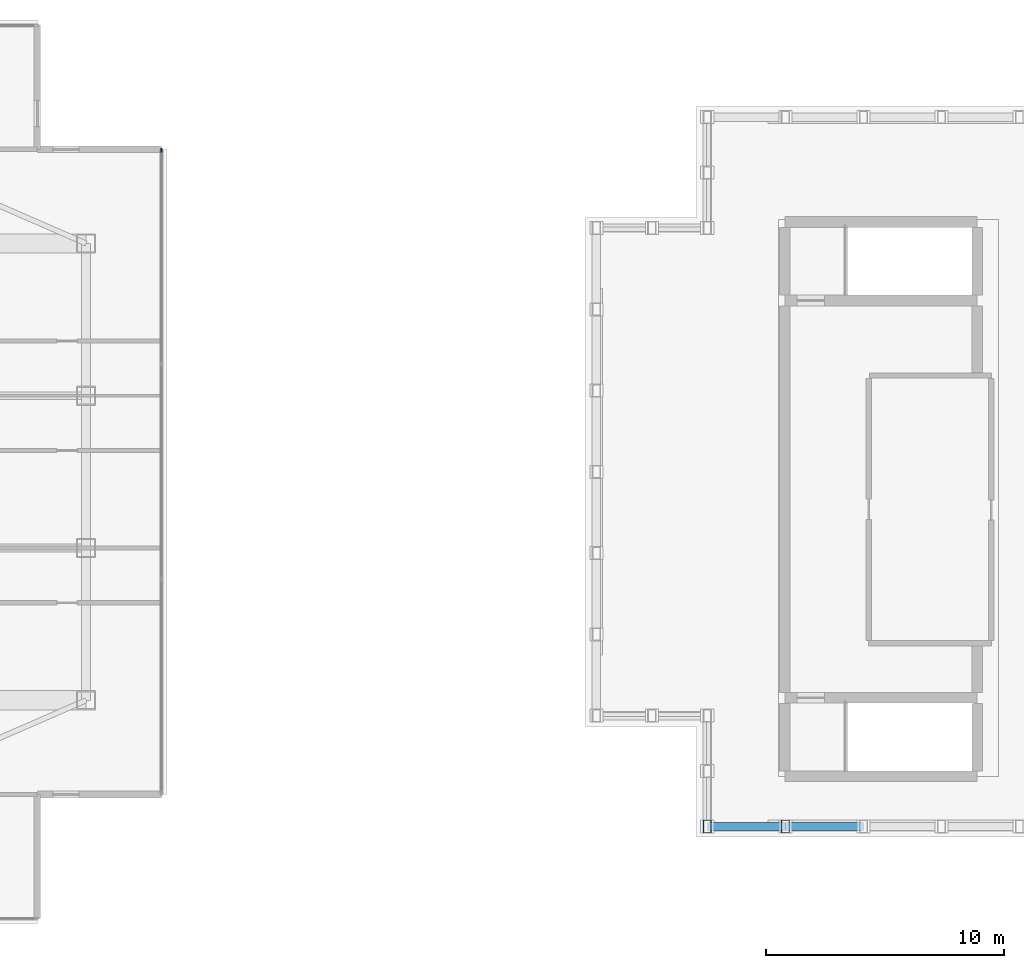
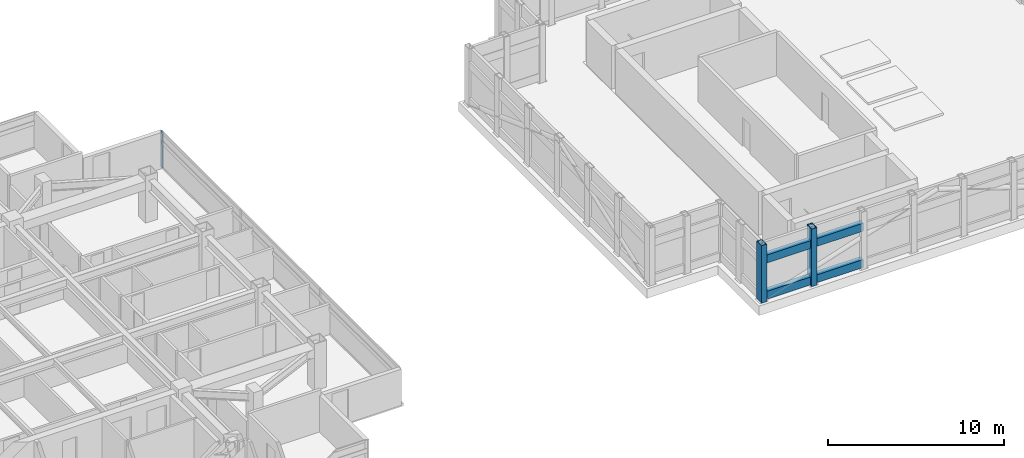
# One storey, part 7 of 17: 7 members, 1 element without a shape of its own.
"""IFC4 building model written with IfcOpenShell, lengths in metres."""

from ifc_helpers import new_model, si_unit, direction, frame, origin, origin_2d, place, context, subcontext, project, spatial, rectangle, hollow_rectangle, extrude, material, material_profile, profile_set, type_object, element, aggregate, save


model = new_model("IFC4")

# Units and contexts
model_context = context("Model", 3, precision=1e-05, world=origin(), true_north=direction((0.0, 1.0)))
body_context = subcontext(model_context, "Body", "Model", "MODEL_VIEW")
ifc_project = project(units=[si_unit("LENGTHUNIT", "METRE"), si_unit("AREAUNIT", "SQUARE_METRE"), si_unit("VOLUMEUNIT", "CUBIC_METRE"), si_unit("PLANEANGLEUNIT", "RADIAN"), si_unit("MASSUNIT", "GRAM", prefix="KILO")], contexts=[model_context])

# Site, building, storey
site_placement = place(None, origin())
site = spatial("IfcSite", under=ifc_project, at=site_placement, CompositionType="ELEMENT")
building_placement = place(site_placement, origin())
building = spatial("IfcBuilding", under=site, at=building_placement, Name="Mirazonda Arch Towers", CompositionType="ELEMENT")
storey_placement = place(building_placement, frame((0.0, 0.0, 209.64990234375)))
storey = spatial("IfcBuildingStorey", under=building, at=storey_placement, Name="L60", CompositionType="ELEMENT", Elevation=209.64990234375)

# Members
ifc_material_1 = material(Name="Steel ASTM A572 Grade 50", Category="steel")
ifc_material_profile_1 = material_profile(ifc_material_1, hollow_rectangle(XDim=0.35009765625, YDim=0.550048828125, WallThickness=0.030029296875, at=origin_2d()), Name="CROWNFRAME550x350x30")
ifc_profile_set_1 = profile_set([ifc_material_profile_1], Name="Steel ASTM A572 Grade 50")
member_type_1 = type_object("IfcMemberType", Name="MBR-EXT-CROWNFRAME550x350x30", PredefinedType="USERDEFINED", material=ifc_profile_set_1)
for number, where, z_axis, x_axis, name in (
    (1, (65.01220703125, 13.091552734375, 0.0), (0.0, 0.0, 1.0), (1.0, 0.0, 0.0), "T2 Constructivist Ring Crown Post 01"),
    (2, (68.29443359375, 13.091552734375, 0.0), (0.0, 0.0, 1.0), (1.0, 0.0, 0.0), "T2 Constructivist Ring Crown Post 02"),
):
    element("IfcMember", number, at=place(storey_placement, frame(where, z_axis=z_axis, x_axis=x_axis)), inside=storey, type_object=member_type_1, Name=name, ObjectType="CROWN FRAME", PredefinedType="USERDEFINED", context=body_context, shape_type="SweptSolid", body=[
        extrude(hollow_rectangle(XDim=0.35009765625, YDim=0.550048828125, WallThickness=0.030029296875, at=origin_2d()), origin(), (0.0, 0.0, 1.0), 4.0),
    ])
for number, where, z_axis, x_axis, name in (
    (3, (65.01220703125, 13.091552734375, 0.35009765625), (1.0, 0.0, 0.0), (0.0, 1.0, 0.0), "T2 Ring Crown Cap Beam 1-01"),
    (4, (68.29443359375, 13.091552734375, 0.35009765625), (1.0, 0.0, 0.0), (0.0, 1.0, 0.0), "T2 Ring Crown Cap Beam 1-02"),
    (5, (65.01220703125, 13.091552734375, 2.8701171875), (1.0, 0.0, 0.0), (0.0, 1.0, 0.0), "T2 Ring Crown Cap Beam 2-01"),
    (6, (68.29443359375, 13.091552734375, 2.8701171875), (1.0, 0.0, 0.0), (0.0, 1.0, 0.0), "T2 Ring Crown Cap Beam 2-02"),
):
    element("IfcMember", number, at=place(storey_placement, frame(where, z_axis=z_axis, x_axis=x_axis)), inside=storey, type_object=member_type_1, Name=name, ObjectType="CROWN FRAME", PredefinedType="USERDEFINED", context=body_context, shape_type="SweptSolid", body=[
        extrude(hollow_rectangle(XDim=0.35009765625, YDim=0.550048828125, WallThickness=0.030029296875, at=origin_2d()), origin(), (0.0, 0.0, 1.0), 3.2822265625),
    ])

# Curtain wall, member
ifc_material_2 = material(Name="Anodised Aluminium and Low-E Glass", Category="aluminium")
curtain_wall_type = type_object("IfcCurtainWallType", Name="CW-RES-UNIT", PredefinedType="NOTDEFINED", material=ifc_material_2)
curtain_wall_placement = place(storey_placement, origin())
curtain_wall = element("IfcCurtainWall", 7, at=curtain_wall_placement, inside=storey, type_object=curtain_wall_type, Name="L60 T1 E Facade CW-L60-T1-E", PredefinedType="NOTDEFINED")
ifc_material_3 = material(Name="Anodised Aluminium Alloy", Category="aluminium")
ifc_material_profile_2 = material_profile(ifc_material_3, rectangle(XDim=0.074951171875, YDim=0.175048828125, at=origin_2d()), Name="ALU-MULL-75x175")
ifc_profile_set_2 = profile_set([ifc_material_profile_2], Name="Anodised Aluminium Alloy")
member_type_2 = type_object("IfcMemberType", Name="MULL-CW-RES-UNIT", PredefinedType="MULLION", material=ifc_profile_set_2)
member_placement = place(storey_placement, frame((42.070068359375, 41.521484375, 0.0), z_axis=(0.0, 0.0, 1.0), x_axis=(-1.0, 0.0, 0.0)))
member = element("IfcMember", 8, at=member_placement, type_object=member_type_2, Name="CW-104 mullion 4", PredefinedType="MULLION", context=body_context, shape_type="SweptSolid", body=[
    extrude(rectangle(XDim=0.074951171875, YDim=0.175048828125, at=origin_2d()), origin(), (0.0, 0.0, 1.0), 2.510009765625),
])
aggregate(curtain_wall, [member])

save(model, "model.ifc")
